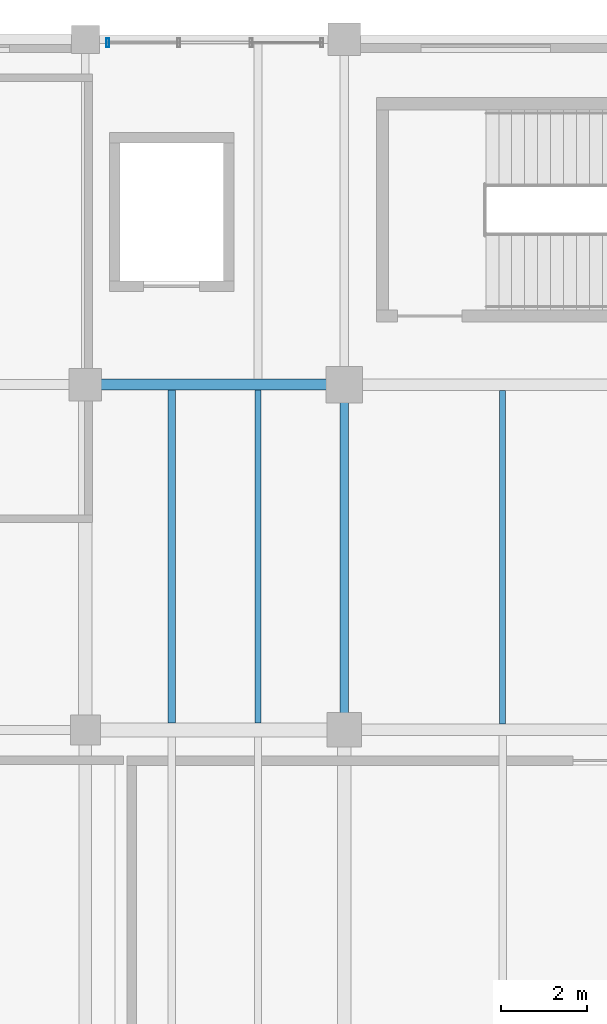
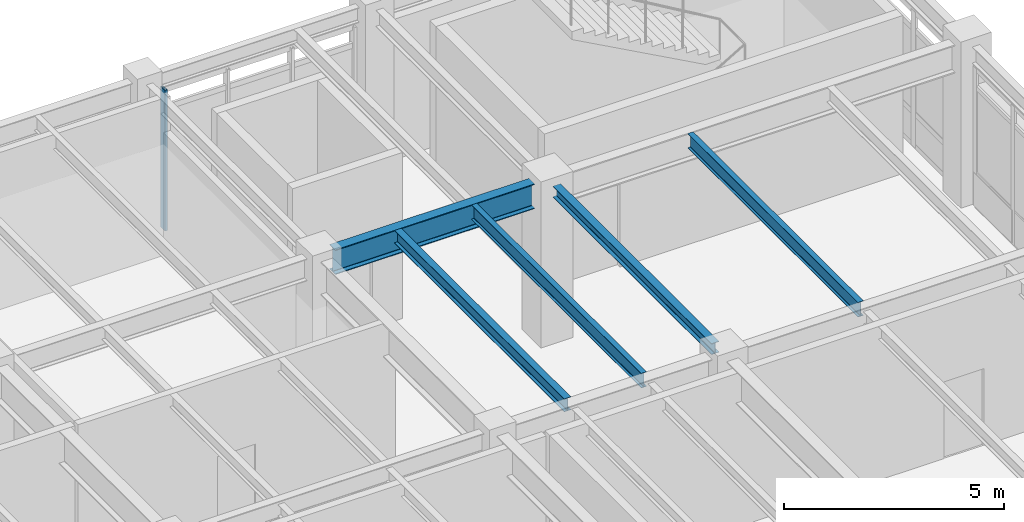
# One storey, part 121 of 168: 5 beams, 1 member, 1 element without a shape of its own.
"""IFC4 building model written with IfcOpenShell, lengths in metres."""

from ifc_helpers import new_model, si_unit, direction, frame, origin, origin_2d, place, context, subcontext, project, spatial, hollow_rectangle, i_section, extrude, material, material_profile, profile_set, type_object, element, aggregate, save


model = new_model("IFC4")

# Units and contexts
model_context = context("Model", 3, precision=1e-05, world=origin(), true_north=direction((0.0, 1.0)))
body_context = subcontext(model_context, "Body", "Model", "MODEL_VIEW")
ifc_project = project(units=[si_unit("LENGTHUNIT", "METRE"), si_unit("AREAUNIT", "SQUARE_METRE"), si_unit("VOLUMEUNIT", "CUBIC_METRE"), si_unit("PLANEANGLEUNIT", "RADIAN"), si_unit("MASSUNIT", "GRAM", prefix="KILO"), si_unit("THERMODYNAMICTEMPERATUREUNIT", "KELVIN"), si_unit("POWERUNIT", "WATT")], contexts=[model_context])

# Site, building, storey
site_placement = place(None, origin())
site = spatial("IfcSite", under=ifc_project, at=site_placement, CompositionType="ELEMENT")
building_placement = place(site_placement, origin())
building = spatial("IfcBuilding", under=site, at=building_placement, Name="Tepalcoro Natatorium and Aquatics Centre", CompositionType="ELEMENT")
storey_placement = place(building_placement, frame((0.0, 0.0, 10.199951171875)))
storey = spatial("IfcBuildingStorey", under=building, at=storey_placement, Name="L02", CompositionType="ELEMENT", Elevation=10.199951171875)

# Beams
ifc_material_1 = material(Name="Steel ASTM A992 Grade 50 (Fy 345 MPa)", Category="steel")
ifc_material_profile_1 = material_profile(ifc_material_1, i_section(OverallWidth=0.202880859375, OverallDepth=0.304931640625, WebThickness=0.007080078125, FlangeThickness=0.012939453125, FilletRadius=0.013916015625, at=origin_2d()), Name="W12X40")
ifc_profile_set_1 = profile_set([ifc_material_profile_1], Name="Steel ASTM A992 Grade 50 (Fy 345 MPa)")
beam_type_1 = type_object("IfcBeamType", Name="BM_W12x40", PredefinedType="BEAM", material=ifc_profile_set_1)
beam_1_placement = place(storey_placement, frame((165.0, 102.385009765625, 4.212646484375), z_axis=(0.0, 1.0, 0.0), x_axis=(-1.0, 0.0, 0.0)))
element("IfcBeam", 1, at=beam_1_placement, inside=storey, type_object=beam_type_1, Name="V5 L02 Grid Girder Y", PredefinedType="BEAM", context=body_context, shape_type="SweptSolid", body=[
    extrude(i_section(OverallWidth=0.202880859375, OverallDepth=0.304931640625, WebThickness=0.007080078125, FlangeThickness=0.012939453125, FilletRadius=0.013916015625, at=origin_2d()), origin(), (0.0, 0.0, 1.0), 7.205078125),
])
ifc_material_profile_2 = material_profile(ifc_material_1, i_section(OverallWidth=0.25390625, OverallDepth=0.68798828125, WebThickness=0.012939453125, FlangeThickness=0.02099609375, FilletRadius=0.013916015625, at=origin_2d()), Name="W27X102")
ifc_profile_set_2 = profile_set([ifc_material_profile_2], Name="Steel ASTM A992 Grade 50 (Fy 345 MPa)")
beam_type_2 = type_object("IfcBeamType", Name="BM_W27x102", PredefinedType="BEAM", material=ifc_profile_set_2)
beam_2_placement = place(storey_placement, frame((159.360107421875, 110.0, 4.02099609375), z_axis=(1.0, 0.0, 0.0), x_axis=(0.0, 1.0, 0.0)))
element("IfcBeam", 2, at=beam_2_placement, inside=storey, type_object=beam_type_2, Name="V5 L02 Grid Girder X", PredefinedType="BEAM", context=body_context, shape_type="SweptSolid", body=[
    extrude(i_section(OverallWidth=0.25390625, OverallDepth=0.68798828125, WebThickness=0.012939453125, FlangeThickness=0.02099609375, FilletRadius=0.013916015625, at=origin_2d()), origin(), (0.0, 0.0, 1.0), 5.22998046875),
])

# Curtain wall, member
ifc_material_2 = material(Name="Bronze-Anodised Extruded Aluminium Alloy EN AW-6063 T6", Category="aluminium")
curtain_wall_type = type_object("IfcCurtainWallType", Name="CW_V4_VILLAGE", PredefinedType="USERDEFINED", material=ifc_material_2)
curtain_wall_placement = place(storey_placement, origin())
curtain_wall = element("IfcCurtainWall", 3, at=curtain_wall_placement, inside=storey, type_object=curtain_wall_type, Name="V5 L02 N Unitised Curtain Wall Bay 8", ObjectType="UNITISED STOREFRONT", PredefinedType="USERDEFINED")
ifc_material_profile_3 = material_profile(ifc_material_2, hollow_rectangle(XDim=0.070068359375, YDim=0.199951171875, WallThickness=0.0048828125, at=origin_2d()), Name="AL70X200X5")
ifc_profile_set_3 = profile_set([ifc_material_profile_3], Name="Bronze-Anodised Extruded Aluminium Alloy EN AW-6063 T6")
member_type = type_object("IfcMemberType", Name="CW_MUL_70x200", PredefinedType="MULLION", material=ifc_profile_set_3)
member_placement = place(storey_placement, frame((159.52001953125, 117.923828125, 0.02001953125), z_axis=(0.0, 0.0, 1.0), x_axis=(1.0, 0.0, 0.0)))
member = element("IfcMember", 4, at=member_placement, type_object=member_type, Name="CW_V4_VILLAGE Curtain Wall Mullion", PredefinedType="MULLION", context=body_context, shape_type="SweptSolid", body=[
    extrude(hollow_rectangle(XDim=0.070068359375, YDim=0.199951171875, WallThickness=0.0048828125, at=origin_2d()), origin(), (0.0, 0.0, 1.0), 3.89697265625),
])
aggregate(curtain_wall, [member])

# Beams
ifc_material_profile_4 = material_profile(ifc_material_1, i_section(OverallWidth=0.172119140625, OverallDepth=0.35791015625, WebThickness=0.008056640625, FlangeThickness=0.012939453125, FilletRadius=0.013916015625, at=origin_2d()), Name="W14X38")
ifc_profile_set_4 = profile_set([ifc_material_profile_4], Name="Steel ASTM A992 Grade 50 (Fy 345 MPa)")
beam_type_3 = type_object("IfcBeamType", Name="JS_W14x38", PredefinedType="JOIST", material=ifc_profile_set_4)
beam_3_placement = place(storey_placement, frame((161.0, 102.16259765625, 4.18603515625), z_axis=(0.0, 1.0, 0.0), x_axis=(-1.0, 0.0, 0.0)))
element("IfcBeam", 5, at=beam_3_placement, inside=storey, type_object=beam_type_3, Name="V5 L02 Floor Joist", PredefinedType="JOIST", context=body_context, shape_type="SweptSolid", body=[
    extrude(i_section(OverallWidth=0.172119140625, OverallDepth=0.35791015625, WebThickness=0.008056640625, FlangeThickness=0.012939453125, FilletRadius=0.013916015625, at=origin_2d()), origin(), (0.0, 0.0, 1.0), 7.71044921875),
])
ifc_material_profile_5 = material_profile(ifc_material_1, i_section(OverallWidth=0.139892578125, OverallDepth=0.404052734375, WebThickness=0.007080078125, FlangeThickness=0.010986328125, FilletRadius=0.013916015625, at=origin_2d()), Name="W16X31")
ifc_profile_set_5 = profile_set([ifc_material_profile_5], Name="Steel ASTM A992 Grade 50 (Fy 345 MPa)")
beam_type_4 = type_object("IfcBeamType", Name="JS_W16x31", PredefinedType="JOIST", material=ifc_profile_set_5)
beam_4_placement = place(storey_placement, frame((163.0, 102.16259765625, 4.1630859375), z_axis=(0.0, 1.0, 0.0), x_axis=(-1.0, 0.0, 0.0)))
element("IfcBeam", 6, at=beam_4_placement, inside=storey, type_object=beam_type_4, Name="V5 L02 Floor Joist", PredefinedType="JOIST", context=body_context, shape_type="SweptSolid", body=[
    extrude(i_section(OverallWidth=0.139892578125, OverallDepth=0.404052734375, WebThickness=0.007080078125, FlangeThickness=0.010986328125, FilletRadius=0.013916015625, at=origin_2d()), origin(), (0.0, 0.0, 1.0), 7.71044921875),
])
beam_5_placement = place(storey_placement, frame((168.666748046875, 102.133544921875, 4.1630859375), z_axis=(0.0, 1.0, 0.0), x_axis=(-1.0, 0.0, 0.0)))
element("IfcBeam", 7, at=beam_5_placement, inside=storey, type_object=beam_type_4, Name="V5 L02 Floor Joist", PredefinedType="JOIST", context=body_context, shape_type="SweptSolid", body=[
    extrude(i_section(OverallWidth=0.139892578125, OverallDepth=0.404052734375, WebThickness=0.007080078125, FlangeThickness=0.010986328125, FilletRadius=0.013916015625, at=origin_2d()), origin(), (0.0, 0.0, 1.0), 7.73291015625),
])

save(model, "model.ifc")
